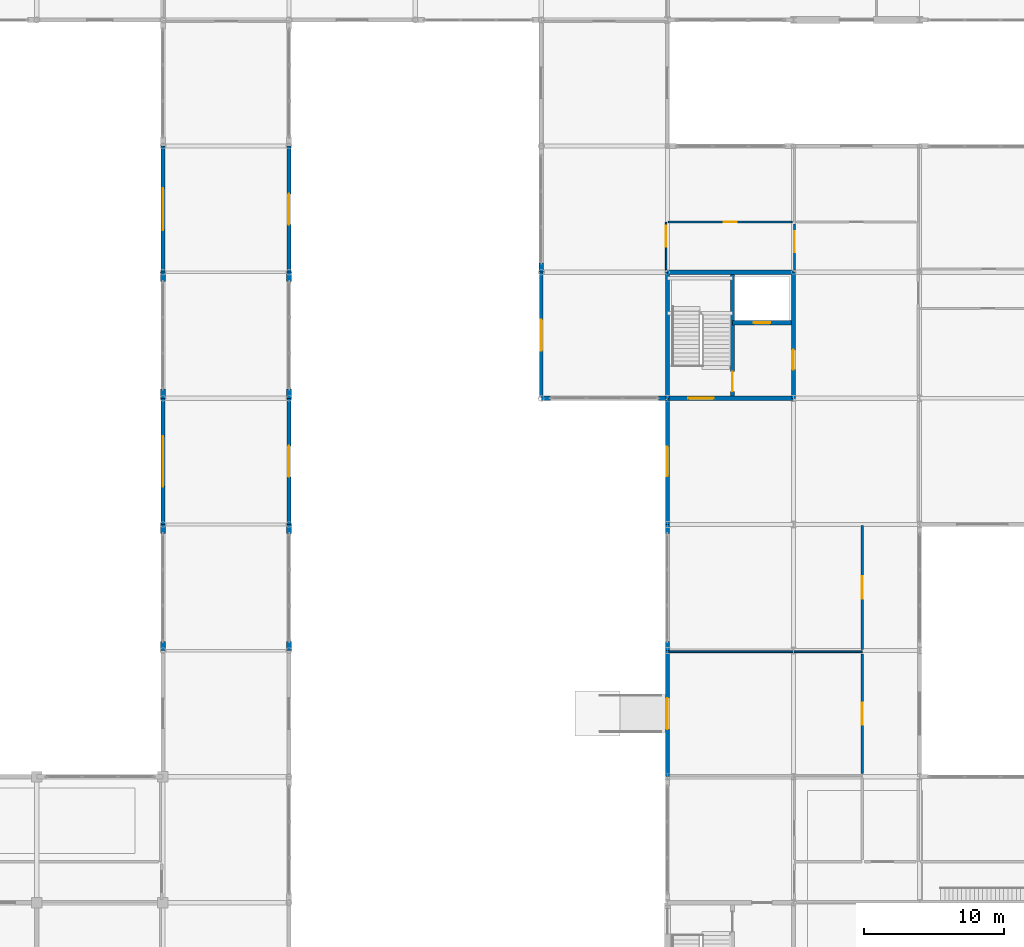
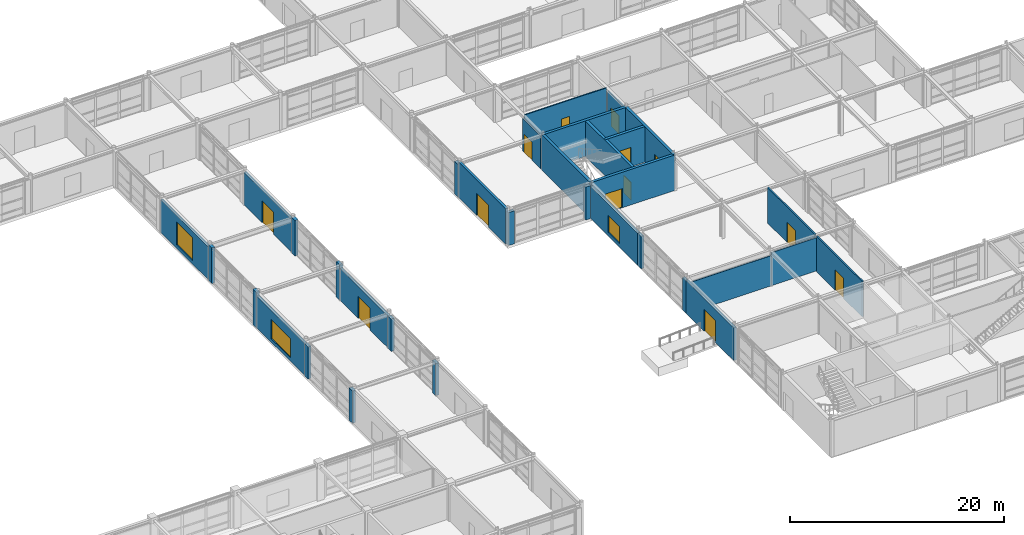
# One storey, part 59 of 72: 33 walls, 13 doors, 3 windows, 16 openings.
"""IFC4 building model written with IfcOpenShell, lengths in metres."""

from ifc_helpers import new_model, si_unit, direction, frame, frame_2d, origin, place, context, subcontext, project, spatial, rectangle, extrude, material, layer, layer_set, type_object, element, fill, save


model = new_model("IFC4")

# Units and contexts
model_context = context("Model", 3, precision=1e-05, world=origin(), true_north=direction((0.0, 1.0)))
body_context = subcontext(model_context, "Body", "Model", "MODEL_VIEW")
ifc_project = project(units=[si_unit("LENGTHUNIT", "METRE"), si_unit("AREAUNIT", "SQUARE_METRE"), si_unit("VOLUMEUNIT", "CUBIC_METRE"), si_unit("PLANEANGLEUNIT", "RADIAN"), si_unit("MASSUNIT", "GRAM", prefix="KILO")], contexts=[model_context])

# Site, building, storey
site_placement = place(None, origin())
site = spatial("IfcSite", under=ifc_project, at=site_placement, CompositionType="ELEMENT")
building_placement = place(site_placement, origin())
building = spatial("IfcBuilding", under=site, at=building_placement, Name="Palais des Congres Ocreval", CompositionType="ELEMENT")
storey_placement = place(building_placement, origin())
storey = spatial("IfcBuildingStorey", under=building, at=storey_placement, Name="L00", CompositionType="ELEMENT", Elevation=0.0)

# Wall, opening, door
ifc_material_1 = material(Name="Concrete C40/50", Category="concrete")
ifc_layer_1 = layer(ifc_material_1, 0.300048828125)
ifc_layer_set_1 = layer_set([ifc_layer_1], Name="Core Shear Wall 300 Concrete C40/50")
wall_type_1 = type_object("IfcWallType", Name="Core Shear Wall 300 Concrete C40/50", PredefinedType="SHEAR", material=ifc_layer_set_1)
wall_1_placement = place(storey_placement, frame((117.0, 45.0, 0.0), z_axis=(0.0, 0.0, 1.0), x_axis=(-1.0, 0.0, 0.0)))
wall_1 = element("IfcWall", 1, at=wall_1_placement, inside=storey, type_object=wall_type_1, Name="Core Shear Wall SC10 L00 S", PredefinedType="SHEAR", context=body_context, shape_type="SweptSolid", body=[
    extrude(rectangle(XDim=9.0, YDim=0.300048828125, at=frame_2d((4.5, 0.0))), origin(), (0.0, 0.0, 1.0), 4.054931640625),
])
opening_1_placement = place(wall_1_placement, frame((5.699951171875, 0.0, 0.0)))
opening_1 = element("IfcOpeningElement", 2, at=opening_1_placement, cuts=wall_1, Name="Opening ED04", PredefinedType="OPENING", context=body_context, shape_type="SweptSolid", body=[
    extrude(rectangle(XDim=1.800048828125, YDim=2.199951171875, at=frame_2d((0.89990234375, 1.10009765625))), frame((0.0, 0.159912109375, 0.0), z_axis=(0.0, -1.0, 0.0), x_axis=(1.0, 0.0, 0.0)), (0.0, 0.0, 1.0), 0.320068359375),
])
ifc_material_2 = material(Name="Anodized bronze aluminium and safety glass", Category="aluminium")
door_type_1 = type_object("IfcDoorType", Name="Stair Street Discharge Door 1800x2200", OperationType="NOTDEFINED", PredefinedType="DOOR", material=ifc_material_2)
door_1_placement = place(opening_1_placement, origin())
door_1 = element("IfcDoor", 3, at=door_1_placement, inside=storey, type_object=door_type_1, Name="Stair Final Exit Discharge Door ST10", OperationType="DOUBLE_DOOR_SINGLE_SWING", OverallHeight=2.199951171875, OverallWidth=1.800048828125, PredefinedType="DOOR", context=body_context, shape_type="SweptSolid", body=[
    extrude(rectangle(XDim=1.800048828125, YDim=2.199951171875, at=frame_2d((0.89990234375, 1.10009765625))), frame((0.0, 0.02490234375, 0.0), z_axis=(0.0, -1.0, 0.0), x_axis=(1.0, 0.0, 0.0)), (0.0, 0.0, 1.0), 0.050048828125),
])
fill(opening_1, door_1)

wall_2_placement = place(storey_placement, frame((117.0, 45.0, 0.0), z_axis=(0.0, 0.0, 1.0), x_axis=(0.0, 1.0, 0.0)))
wall_2 = element("IfcWall", 4, at=wall_2_placement, inside=storey, type_object=wall_type_1, Name="Core Shear Wall SC10 L00 E", PredefinedType="SHEAR", context=body_context, shape_type="SweptSolid", body=[
    extrude(rectangle(XDim=9.0, YDim=0.300048828125, at=frame_2d((4.5, 0.0))), origin(), (0.0, 0.0, 1.0), 4.054931640625),
])
opening_2_placement = place(wall_2_placement, frame((2.050048828125, 0.0, 0.0)))
opening_2 = element("IfcOpeningElement", 5, at=opening_2_placement, cuts=wall_2, Name="Opening D03", PredefinedType="OPENING", context=body_context, shape_type="SweptSolid", body=[
    extrude(rectangle(XDim=1.39990234375, YDim=2.02001953125, at=frame_2d((0.699951171875, 1.010009765625))), frame((0.0, 0.159912109375, 0.0), z_axis=(0.0, -1.0, 0.0), x_axis=(1.0, 0.0, 0.0)), (0.0, 0.0, 1.0), 0.320068359375),
])
ifc_material_3 = material(Name="Painted fire-rated steel", Category="steel")
door_type_2 = type_object("IfcDoorType", Name="Core Lobby Rated Door 1400x2020", OperationType="NOTDEFINED", PredefinedType="DOOR", material=ifc_material_3)
door_2_placement = place(opening_2_placement, origin())
door_2 = element("IfcDoor", 6, at=door_2_placement, inside=storey, type_object=door_type_2, Name="Lobby Entrance Door SC10 L00", OperationType="DOUBLE_DOOR_SINGLE_SWING", OverallHeight=2.02001953125, OverallWidth=1.39990234375, PredefinedType="DOOR", context=body_context, shape_type="SweptSolid", body=[
    extrude(rectangle(XDim=1.39990234375, YDim=2.02001953125, at=frame_2d((0.699951171875, 1.010009765625))), frame((0.0, 0.02490234375, 0.0), z_axis=(0.0, -1.0, 0.0), x_axis=(1.0, 0.0, 0.0)), (0.0, 0.0, 1.0), 0.050048828125),
])
fill(opening_2, door_2)

# Walls
for number, where, z_axis, x_axis, name in (
    (7, (108.0, 54.0, 0.0), (0.0, 0.0, 1.0), (1.0, 0.0, 0.0), "Core Shear Wall SC10 L00 N"),
    (8, (108.0, 45.0, 0.0), (0.0, 0.0, 1.0), (0.0, 1.0, 0.0), "Core Shear Wall SC10 L00 W"),
):
    element("IfcWall", number, at=place(storey_placement, frame(where, z_axis=z_axis, x_axis=x_axis)), inside=storey, type_object=wall_type_1, Name=name, PredefinedType="SHEAR", context=body_context, shape_type="SweptSolid", body=[
        extrude(rectangle(XDim=9.0, YDim=0.300048828125, at=frame_2d((4.5, 0.0))), origin(), (0.0, 0.0, 1.0), 4.054931640625),
    ])

# Wall, opening, door
wall_3_placement = place(storey_placement, frame((112.64990234375, 45.14990234375, 0.0), z_axis=(0.0, 0.0, 1.0), x_axis=(0.0, 1.0, 0.0)))
wall_3 = element("IfcWall", 9, at=wall_3_placement, inside=storey, type_object=wall_type_1, Name="Core Spine Shear Wall SC10 L00", PredefinedType="SHEAR", context=body_context, shape_type="SweptSolid", body=[
    extrude(rectangle(XDim=8.7001953125, YDim=0.300048828125, at=frame_2d((4.35009765625, 0.0))), origin(), (0.0, 0.0, 1.0), 4.054931640625),
])
opening_3_placement = place(wall_3_placement, frame((0.35009765625, 0.0, 0.0)))
opening_3 = element("IfcOpeningElement", 10, at=opening_3_placement, cuts=wall_3, Name="Opening D03", PredefinedType="OPENING", context=body_context, shape_type="SweptSolid", body=[
    extrude(rectangle(XDim=1.39990234375, YDim=2.02001953125, at=frame_2d((0.699951171875, 1.010009765625))), frame((0.0, 0.159912109375, 0.0), z_axis=(0.0, -1.0, 0.0), x_axis=(1.0, 0.0, 0.0)), (0.0, 0.0, 1.0), 0.320068359375),
])
door_3_placement = place(opening_3_placement, origin())
door_3 = element("IfcDoor", 11, at=door_3_placement, inside=storey, type_object=door_type_2, Name="Protected Exit Stair Door ST10 L00", OperationType="SINGLE_SWING_RIGHT", OverallHeight=2.02001953125, OverallWidth=1.39990234375, PredefinedType="DOOR", context=body_context, shape_type="SweptSolid", body=[
    extrude(rectangle(XDim=1.39990234375, YDim=2.02001953125, at=frame_2d((0.699951171875, 1.010009765625))), frame((0.0, 0.02490234375, 0.0), z_axis=(0.0, -1.0, 0.0), x_axis=(1.0, 0.0, 0.0)), (0.0, 0.0, 1.0), 0.050048828125),
])
fill(opening_3, door_3)

wall_4_placement = place(storey_placement, frame((112.64990234375, 50.39990234375, 0.0), z_axis=(0.0, 0.0, 1.0), x_axis=(1.0, 0.0, 0.0)))
wall_4 = element("IfcWall", 12, at=wall_4_placement, inside=storey, type_object=wall_type_1, Name="Lift Shaft Front Wall SC10 L00", PredefinedType="SHEAR", context=body_context, shape_type="SweptSolid", body=[
    extrude(rectangle(XDim=4.2001953125, YDim=0.300048828125, at=frame_2d((2.10009765625, 0.0))), origin(), (0.0, 0.0, 1.0), 4.054931640625),
])
opening_4_placement = place(wall_4_placement, frame((1.5, 0.0, 0.0)))
opening_4 = element("IfcOpeningElement", 13, at=opening_4_placement, cuts=wall_4, Name="Opening LD02", PredefinedType="OPENING", context=body_context, shape_type="SweptSolid", body=[
    extrude(rectangle(XDim=1.199951171875, YDim=2.199951171875, at=frame_2d((0.60009765625, 1.10009765625))), frame((0.0, 0.159912109375, 0.0), z_axis=(0.0, -1.0, 0.0), x_axis=(1.0, 0.0, 0.0)), (0.0, 0.0, 1.0), 0.320068359375),
])
ifc_material_4 = material(Name="Anodized bronze steel", Category="steel")
door_type_3 = type_object("IfcDoorType", Name="Passenger and Service Lift Sliding Door 1200x2200", OperationType="NOTDEFINED", PredefinedType="DOOR", material=ifc_material_4)
door_4_placement = place(opening_4_placement, origin())
door_4 = element("IfcDoor", 14, at=door_4_placement, inside=storey, type_object=door_type_3, Name="Lift Landing Sliding Door SL1 L00", OperationType="DOUBLE_DOOR_SLIDING", OverallHeight=2.199951171875, OverallWidth=1.199951171875, PredefinedType="DOOR", context=body_context, shape_type="SweptSolid", body=[
    extrude(rectangle(XDim=1.199951171875, YDim=2.199951171875, at=frame_2d((0.60009765625, 1.10009765625))), frame((0.0, 0.02490234375, 0.0), z_axis=(0.0, -1.0, 0.0), x_axis=(1.0, 0.0, 0.0)), (0.0, 0.0, 1.0), 0.050048828125),
])
fill(opening_4, door_4)

ifc_material_5 = material(Name="Gypsum acoustic partition")
ifc_layer_2 = layer(ifc_material_5, 0.159912109375)
ifc_layer_set_2 = layer_set([ifc_layer_2], Name="Corridor Fire Partition 160 Gypsum (Gypsum acoustic partition)")
wall_type_2 = type_object("IfcWallType", Name="Corridor Fire Partition 160 Gypsum", PredefinedType="PARTITIONING", material=ifc_layer_set_2)
wall_5_placement = place(storey_placement, frame((117.06494140625, 54.155029296875, 0.0), z_axis=(0.0, 0.0, 1.0), x_axis=(0.0, 1.0, 0.0)))
wall_5 = element("IfcWall", 15, at=wall_5_placement, inside=storey, type_object=wall_type_2, Name="Interior Partition IW03 L00", PredefinedType="PARTITIONING", context=body_context, shape_type="SweptSolid", body=[
    extrude(rectangle(XDim=3.280029296875, YDim=0.159912109375, at=frame_2d((1.64013671875, 0.0))), origin(), (0.0, 0.0, 1.0), 3.764892578125),
])
opening_5_placement = place(wall_5_placement, frame((1.28369140625, 0.0, 0.0)))
opening_5 = element("IfcOpeningElement", 16, at=opening_5_placement, cuts=wall_5, Name="Opening D04", PredefinedType="OPENING", context=body_context, shape_type="SweptSolid", body=[
    extrude(rectangle(XDim=1.5, YDim=2.10009765625, at=frame_2d((0.75, 1.050048828125))), frame((0.0, 0.08984375, 0.0), z_axis=(0.0, -1.0, 0.0), x_axis=(1.0, 0.0, 0.0)), (0.0, 0.0, 1.0), 0.179931640625),
])
ifc_material_6 = material(Name="Solid French oak fire door", Category="wood")
door_type_4 = type_object("IfcDoorType", Name="Corridor Compartment Double Door 1500x2100", OperationType="NOTDEFINED", PredefinedType="DOOR", material=ifc_material_6)
door_5_placement = place(opening_5_placement, origin())
door_5 = element("IfcDoor", 17, at=door_5_placement, inside=storey, type_object=door_type_4, Name="Interior Door D04 L00", OperationType="DOUBLE_DOOR_SINGLE_SWING", OverallHeight=2.10009765625, OverallWidth=1.5, PredefinedType="DOOR", context=body_context, shape_type="SweptSolid", body=[
    extrude(rectangle(XDim=1.5, YDim=2.10009765625, at=frame_2d((0.75, 1.050048828125))), frame((0.0, 0.02490234375, 0.0), z_axis=(0.0, -1.0, 0.0), x_axis=(1.0, 0.0, 0.0)), (0.0, 0.0, 1.0), 0.050048828125),
])
fill(opening_5, door_5)

wall_6_placement = place(storey_placement, frame((121.909912109375, 18.219970703125, 0.0), z_axis=(0.0, 0.0, 1.0), x_axis=(0.0, 1.0, 0.0)))
wall_6 = element("IfcWall", 18, at=wall_6_placement, inside=storey, type_object=wall_type_2, Name="Interior Partition IW03 L00", PredefinedType="PARTITIONING", context=body_context, shape_type="SweptSolid", body=[
    extrude(rectangle(XDim=8.534912109375, YDim=0.159912109375, at=frame_2d((4.267578125, 0.0))), origin(), (0.0, 0.0, 1.0), 4.054931640625),
])
opening_6_placement = place(wall_6_placement, frame((3.467529296875, 0.0, 0.0)))
opening_6 = element("IfcOpeningElement", 19, at=opening_6_placement, cuts=wall_6, Name="Opening D12", PredefinedType="OPENING", context=body_context, shape_type="SweptSolid", body=[
    extrude(rectangle(XDim=1.60009765625, YDim=2.300048828125, at=frame_2d((0.800048828125, 1.14990234375))), frame((0.0, 0.08984375, 0.0), z_axis=(0.0, -1.0, 0.0), x_axis=(1.0, 0.0, 0.0)), (0.0, 0.0, 1.0), 0.179931640625),
])
ifc_material_7 = material(Name="Solid French oak", Category="wood")
door_type_5 = type_object("IfcDoorType", Name="Meeting Room Acoustic Double Door 1600x2300", OperationType="NOTDEFINED", PredefinedType="DOOR", material=ifc_material_7)
door_6_placement = place(opening_6_placement, origin())
door_6 = element("IfcDoor", 20, at=door_6_placement, inside=storey, type_object=door_type_5, Name="Interior Door D12 L00", OperationType="DOUBLE_DOOR_SINGLE_SWING", OverallHeight=2.300048828125, OverallWidth=1.60009765625, PredefinedType="DOOR", context=body_context, shape_type="SweptSolid", body=[
    extrude(rectangle(XDim=1.60009765625, YDim=2.300048828125, at=frame_2d((0.800048828125, 1.14990234375))), frame((0.0, 0.02490234375, 0.0), z_axis=(0.0, -1.0, 0.0), x_axis=(1.0, 0.0, 0.0)), (0.0, 0.0, 1.0), 0.050048828125),
])
fill(opening_6, door_6)

wall_7_placement = place(storey_placement, frame((121.909912109375, 27.06494140625, 0.0), z_axis=(0.0, 0.0, 1.0), x_axis=(0.0, 1.0, 0.0)))
wall_7 = element("IfcWall", 21, at=wall_7_placement, inside=storey, type_object=wall_type_2, Name="Interior Partition IW03 L00", PredefinedType="PARTITIONING", context=body_context, shape_type="SweptSolid", body=[
    extrude(rectangle(XDim=8.864990234375, YDim=0.159912109375, at=frame_2d((4.4326171875, 0.0))), origin(), (0.0, 0.0, 1.0), 4.054931640625),
])
opening_7_placement = place(wall_7_placement, frame((3.632568359375, 0.0, 0.0)))
opening_7 = element("IfcOpeningElement", 22, at=opening_7_placement, cuts=wall_7, Name="Opening D12", PredefinedType="OPENING", context=body_context, shape_type="SweptSolid", body=[
    extrude(rectangle(XDim=1.60009765625, YDim=2.300048828125, at=frame_2d((0.800048828125, 1.14990234375))), frame((0.0, 0.08984375, 0.0), z_axis=(0.0, -1.0, 0.0), x_axis=(1.0, 0.0, 0.0)), (0.0, 0.0, 1.0), 0.179931640625),
])
door_7_placement = place(opening_7_placement, origin())
door_7 = element("IfcDoor", 23, at=door_7_placement, inside=storey, type_object=door_type_5, Name="Interior Door D12 L00", OperationType="DOUBLE_DOOR_SINGLE_SWING", OverallHeight=2.300048828125, OverallWidth=1.60009765625, PredefinedType="DOOR", context=body_context, shape_type="SweptSolid", body=[
    extrude(rectangle(XDim=1.60009765625, YDim=2.300048828125, at=frame_2d((0.800048828125, 1.14990234375))), frame((0.0, 0.02490234375, 0.0), z_axis=(0.0, -1.0, 0.0), x_axis=(1.0, 0.0, 0.0)), (0.0, 0.0, 1.0), 0.050048828125),
])
fill(opening_7, door_7)

# Walls
ifc_layer_3 = layer(ifc_material_1, 0.340087890625)
ifc_layer_set_3 = layer_set([ifc_layer_3], Name="Ochre Mineral-Lime Courtyard Wall 340 Concrete C40/50")
wall_type_3 = type_object("IfcWallType", Name="Ochre Mineral-Lime Courtyard Wall 340 Concrete C40/50", PredefinedType="SOLIDWALL", material=ifc_layer_set_3)
wall_8_placement = place(storey_placement, frame((107.8701171875, 45.0, 0.0), z_axis=(0.0, 0.0, 1.0), x_axis=(-1.0, 0.0, 0.0)))
element("IfcWall", 24, at=wall_8_placement, inside=storey, type_object=wall_type_3, Name="Facade Pier EW04 L00", PredefinedType="SOLIDWALL", context=body_context, shape_type="SweptSolid", body=[
    extrude(rectangle(XDim=0.52001953125, YDim=0.340087890625, at=frame_2d((0.260009765625, 0.0))), origin(), (0.0, 0.0, 1.0), 3.7548828125),
])
for number, where, z_axis, x_axis, name in (
    (25, (99.64990234375, 45.0, 0.0), (0.0, 0.0, 1.0), (-1.0, 0.0, 0.0), "Facade Pier EW04 L00"),
    (26, (99.0, 54.0, 0.0), (0.0, 0.0, 1.0), (0.0, 1.0, 0.0), "Facade Pier EW04 L00"),
):
    element("IfcWall", number, at=place(storey_placement, frame(where, z_axis=z_axis, x_axis=x_axis)), inside=storey, type_object=wall_type_3, Name=name, PredefinedType="SOLIDWALL", context=body_context, shape_type="SweptSolid", body=[
        extrude(rectangle(XDim=0.64990234375, YDim=0.340087890625, at=frame_2d((0.324951171875, 0.0))), origin(), (0.0, 0.0, 1.0), 3.7548828125),
    ])
for number, where, z_axis, x_axis, name in (
    (27, (81.0, 54.0, 0.0), (0.0, 0.0, 1.0), (0.0, -1.0, 0.0), "Facade Pier EW04 L00"),
    (28, (81.0, 45.64990234375, 0.0), (0.0, 0.0, 1.0), (0.0, -1.0, 0.0), "Facade Pier EW04 L00"),
):
    element("IfcWall", number, at=place(storey_placement, frame(where, z_axis=z_axis, x_axis=x_axis)), inside=storey, type_object=wall_type_3, Name=name, PredefinedType="SOLIDWALL", context=body_context, shape_type="SweptSolid", body=[
        extrude(rectangle(XDim=0.64990234375, YDim=0.340087890625, at=frame_2d((0.324951171875, 0.0))), origin(), (0.0, 0.0, 1.0), 4.054931640625),
    ])
for number, where, z_axis, x_axis, name in (
    (29, (81.0, 36.0, 0.0), (0.0, 0.0, 1.0), (0.0, -1.0, 0.0), "Facade Pier EW04 L00"),
    (30, (81.0, 27.64990234375, 0.0), (0.0, 0.0, 1.0), (0.0, -1.0, 0.0), "Facade Pier EW04 L00"),
    (31, (72.0, 27.0, 0.0), (0.0, 0.0, 1.0), (0.0, 1.0, 0.0), "Facade Pier EW04 L00"),
    (32, (72.0, 35.35009765625, 0.0), (0.0, 0.0, 1.0), (0.0, 1.0, 0.0), "Facade Pier EW04 L00"),
):
    element("IfcWall", number, at=place(storey_placement, frame(where, z_axis=z_axis, x_axis=x_axis)), inside=storey, type_object=wall_type_3, Name=name, PredefinedType="SOLIDWALL", context=body_context, shape_type="SweptSolid", body=[
        extrude(rectangle(XDim=0.64990234375, YDim=0.340087890625, at=frame_2d((0.324951171875, 0.0))), origin(), (0.0, 0.0, 1.0), 3.695068359375),
    ])
for number, where, z_axis, x_axis, name in (
    (33, (72.0, 45.0, 0.0), (0.0, 0.0, 1.0), (0.0, 1.0, 0.0), "Facade Pier EW04 L00"),
    (34, (72.0, 53.35009765625, 0.0), (0.0, 0.0, 1.0), (0.0, 1.0, 0.0), "Facade Pier EW04 L00"),
):
    element("IfcWall", number, at=place(storey_placement, frame(where, z_axis=z_axis, x_axis=x_axis)), inside=storey, type_object=wall_type_3, Name=name, PredefinedType="SOLIDWALL", context=body_context, shape_type="SweptSolid", body=[
        extrude(rectangle(XDim=0.64990234375, YDim=0.340087890625, at=frame_2d((0.324951171875, 0.0))), origin(), (0.0, 0.0, 1.0), 4.054931640625),
    ])

# Wall, opening, door
ifc_layer_4 = layer(ifc_material_1, 0.260009765625)
ifc_layer_set_4 = layer_set([ifc_layer_4], Name="Sawtooth Clerestory Wall 260 Concrete C40/50")
wall_type_4 = type_object("IfcWallType", Name="Sawtooth Clerestory Wall 260 Concrete C40/50", PredefinedType="SOLIDWALL", material=ifc_layer_set_4)
wall_9_placement = place(storey_placement, frame((99.0, 45.155029296875, 0.0), z_axis=(0.0, 0.0, 1.0), x_axis=(0.0, 1.0, 0.0)))
wall_9 = element("IfcWall", 35, at=wall_9_placement, inside=storey, type_object=wall_type_4, Name="Exterior Wall EW06 L00", PredefinedType="SOLIDWALL", context=body_context, shape_type="SweptSolid", body=[
    extrude(rectangle(XDim=8.844970703125, YDim=0.260009765625, at=frame_2d((4.42236328125, 0.0))), origin(), (0.0, 0.0, 1.0), 4.054931640625),
])
opening_8_placement = place(wall_9_placement, frame((3.2451171875, 0.0, 0.0)))
opening_8 = element("IfcOpeningElement", 36, at=opening_8_placement, cuts=wall_9, Name="Opening ED02", PredefinedType="OPENING", context=body_context, shape_type="SweptSolid", body=[
    extrude(rectangle(XDim=2.199951171875, YDim=2.5, at=frame_2d((1.10009765625, 1.25))), frame((0.0, 0.139892578125, 0.0), z_axis=(0.0, -1.0, 0.0), x_axis=(1.0, 0.0, 0.0)), (0.0, 0.0, 1.0), 0.280029296875),
])
door_type_6 = type_object("IfcDoorType", Name="Congress Grand Final Exit Door 2200x2500", OperationType="NOTDEFINED", PredefinedType="DOOR", material=ifc_material_2)
door_8_placement = place(opening_8_placement, origin())
door_8 = element("IfcDoor", 37, at=door_8_placement, inside=storey, type_object=door_type_6, Name="Pedestrian Final Exit Door E34", OperationType="DOUBLE_DOOR_SINGLE_SWING", OverallHeight=2.5, OverallWidth=2.199951171875, PredefinedType="DOOR", context=body_context, shape_type="SweptSolid", body=[
    extrude(rectangle(XDim=2.199951171875, YDim=2.5, at=frame_2d((1.10009765625, 1.25))), frame((0.0, 0.02490234375, 0.0), z_axis=(0.0, -1.0, 0.0), x_axis=(1.0, 0.0, 0.0)), (0.0, 0.0, 1.0), 0.050048828125),
])
fill(opening_8, door_8)

wall_10_placement = place(storey_placement, frame((81.0, 63.0, 0.0), z_axis=(0.0, 0.0, 1.0), x_axis=(0.0, -1.0, 0.0)))
wall_10 = element("IfcWall", 38, at=wall_10_placement, inside=storey, type_object=wall_type_4, Name="Exterior Wall EW06 L00", PredefinedType="SOLIDWALL", context=body_context, shape_type="SweptSolid", body=[
    extrude(rectangle(XDim=9.0, YDim=0.260009765625, at=frame_2d((4.5, 0.0))), origin(), (0.0, 0.0, 1.0), 3.7548828125),
])
opening_9_placement = place(wall_10_placement, frame((3.39990234375, 0.0, 0.0)))
opening_9 = element("IfcOpeningElement", 39, at=opening_9_placement, cuts=wall_10, Name="Opening ED02", PredefinedType="OPENING", context=body_context, shape_type="SweptSolid", body=[
    extrude(rectangle(XDim=2.199951171875, YDim=2.5, at=frame_2d((1.10009765625, 1.25))), frame((0.0, 0.139892578125, 0.0), z_axis=(0.0, -1.0, 0.0), x_axis=(1.0, 0.0, 0.0)), (0.0, 0.0, 1.0), 0.280029296875),
])
door_9_placement = place(opening_9_placement, origin())
door_9 = element("IfcDoor", 40, at=door_9_placement, inside=storey, type_object=door_type_6, Name="Pedestrian Final Exit Door E37", OperationType="DOUBLE_DOOR_SINGLE_SWING", OverallHeight=2.5, OverallWidth=2.199951171875, PredefinedType="DOOR", context=body_context, shape_type="SweptSolid", body=[
    extrude(rectangle(XDim=2.199951171875, YDim=2.5, at=frame_2d((1.10009765625, 1.25))), frame((0.0, 0.02490234375, 0.0), z_axis=(0.0, -1.0, 0.0), x_axis=(1.0, 0.0, 0.0)), (0.0, 0.0, 1.0), 0.050048828125),
])
fill(opening_9, door_9)

wall_11_placement = place(storey_placement, frame((81.0, 45.0, 0.0), z_axis=(0.0, 0.0, 1.0), x_axis=(0.0, -1.0, 0.0)))
wall_11 = element("IfcWall", 41, at=wall_11_placement, inside=storey, type_object=wall_type_4, Name="Exterior Wall EW06 L00", PredefinedType="SOLIDWALL", context=body_context, shape_type="SweptSolid", body=[
    extrude(rectangle(XDim=9.0, YDim=0.260009765625, at=frame_2d((4.5, 0.0))), origin(), (0.0, 0.0, 1.0), 3.655029296875),
])
opening_10_placement = place(wall_11_placement, frame((3.39990234375, 0.0, 0.0)))
opening_10 = element("IfcOpeningElement", 42, at=opening_10_placement, cuts=wall_11, Name="Opening ED02", PredefinedType="OPENING", context=body_context, shape_type="SweptSolid", body=[
    extrude(rectangle(XDim=2.199951171875, YDim=2.5, at=frame_2d((1.10009765625, 1.25))), frame((0.0, 0.139892578125, 0.0), z_axis=(0.0, -1.0, 0.0), x_axis=(1.0, 0.0, 0.0)), (0.0, 0.0, 1.0), 0.280029296875),
])
door_10_placement = place(opening_10_placement, origin())
door_10 = element("IfcDoor", 43, at=door_10_placement, inside=storey, type_object=door_type_6, Name="Pedestrian Final Exit Door E38", OperationType="DOUBLE_DOOR_SINGLE_SWING", OverallHeight=2.5, OverallWidth=2.199951171875, PredefinedType="DOOR", context=body_context, shape_type="SweptSolid", body=[
    extrude(rectangle(XDim=2.199951171875, YDim=2.5, at=frame_2d((1.10009765625, 1.25))), frame((0.0, 0.02490234375, 0.0), z_axis=(0.0, -1.0, 0.0), x_axis=(1.0, 0.0, 0.0)), (0.0, 0.0, 1.0), 0.050048828125),
])
fill(opening_10, door_10)

# Wall, opening, window
wall_12_placement = place(storey_placement, frame((72.0, 36.0, 0.0), z_axis=(0.0, 0.0, 1.0), x_axis=(0.0, 1.0, 0.0)))
wall_12 = element("IfcWall", 44, at=wall_12_placement, inside=storey, type_object=wall_type_4, Name="Exterior Wall EW06 L00", PredefinedType="SOLIDWALL", context=body_context, shape_type="SweptSolid", body=[
    extrude(rectangle(XDim=9.0, YDim=0.260009765625, at=frame_2d((4.5, 0.0))), origin(), (0.0, 0.0, 1.0), 3.655029296875),
])
opening_11_placement = place(wall_12_placement, frame((2.699951171875, 0.0, 0.39990234375)))
opening_11 = element("IfcOpeningElement", 45, at=opening_11_placement, cuts=wall_12, Name="Opening WN08", PredefinedType="OPENING", context=body_context, shape_type="SweptSolid", body=[
    extrude(rectangle(XDim=3.60009765625, YDim=2.199951171875, at=frame_2d((1.800048828125, 1.10009765625))), frame((0.0, 0.139892578125, 0.0), z_axis=(0.0, -1.0, 0.0), x_axis=(1.0, 0.0, 0.0)), (0.0, 0.0, 1.0), 0.280029296875),
])
ifc_material_8 = material(Name="Anodized bronze aluminium and low-E glass", Category="glass")
window_type_1 = type_object("IfcWindowType", Name="Crown Salon Window 3600x2200", PartitioningType="SINGLE_PANEL", PredefinedType="WINDOW", material=ifc_material_8)
window_1_placement = place(opening_11_placement, origin())
window_1 = element("IfcWindow", 46, at=window_1_placement, inside=storey, type_object=window_type_1, Name="Facade Window WN08", OverallHeight=2.199951171875, OverallWidth=3.60009765625, PartitioningType="SINGLE_PANEL", PredefinedType="WINDOW", context=body_context, shape_type="SweptSolid", body=[
    extrude(rectangle(XDim=3.60009765625, YDim=2.199951171875, at=frame_2d((1.800048828125, 1.10009765625))), frame((0.0, 0.030029296875, 0.0), z_axis=(0.0, -1.0, 0.0), x_axis=(1.0, 0.0, 0.0)), (0.0, 0.0, 1.0), 0.06005859375),
])
fill(opening_11, window_1)

wall_13_placement = place(storey_placement, frame((72.0, 54.0, 0.0), z_axis=(0.0, 0.0, 1.0), x_axis=(0.0, 1.0, 0.0)))
wall_13 = element("IfcWall", 47, at=wall_13_placement, inside=storey, type_object=wall_type_4, Name="Exterior Wall EW06 L00", PredefinedType="SOLIDWALL", context=body_context, shape_type="SweptSolid", body=[
    extrude(rectangle(XDim=9.0, YDim=0.260009765625, at=frame_2d((4.5, 0.0))), origin(), (0.0, 0.0, 1.0), 3.7548828125),
])
opening_12_placement = place(wall_13_placement, frame((3.0, 0.0, 0.39990234375)))
opening_12 = element("IfcOpeningElement", 48, at=opening_12_placement, cuts=wall_13, Name="Opening WN10", PredefinedType="OPENING", context=body_context, shape_type="SweptSolid", body=[
    extrude(rectangle(XDim=3.0, YDim=2.60009765625, at=frame_2d((1.5, 1.300048828125))), frame((0.0, 0.139892578125, 0.0), z_axis=(0.0, -1.0, 0.0), x_axis=(1.0, 0.0, 0.0)), (0.0, 0.0, 1.0), 0.280029296875),
])
window_type_2 = type_object("IfcWindowType", Name="Lobby Arcade Window 3000x2600", PartitioningType="SINGLE_PANEL", PredefinedType="WINDOW", material=ifc_material_8)
window_2_placement = place(opening_12_placement, origin())
window_2 = element("IfcWindow", 49, at=window_2_placement, inside=storey, type_object=window_type_2, Name="Facade Window WN10", OverallHeight=2.60009765625, OverallWidth=3.0, PartitioningType="SINGLE_PANEL", PredefinedType="WINDOW", context=body_context, shape_type="SweptSolid", body=[
    extrude(rectangle(XDim=3.0, YDim=2.60009765625, at=frame_2d((1.5, 1.300048828125))), frame((0.0, 0.030029296875, 0.0), z_axis=(0.0, -1.0, 0.0), x_axis=(1.0, 0.0, 0.0)), (0.0, 0.0, 1.0), 0.06005859375),
])
fill(opening_12, window_2)

# Wall
ifc_material_9 = material(Name="Gypsum board partition")
ifc_layer_5 = layer(ifc_material_9, 0.1201171875)
ifc_layer_set_5 = layer_set([ifc_layer_5], Name="Suite Subdivision Partition 120 Gypsum (Gypsum board partition)")
wall_type_5 = type_object("IfcWallType", Name="Suite Subdivision Partition 120 Gypsum", PredefinedType="PARTITIONING", material=ifc_layer_set_5)
wall_14_placement = place(storey_placement, frame((108.14501953125, 26.909912109375, 0.0), z_axis=(0.0, 0.0, 1.0), x_axis=(1.0, 0.0, 0.0)))
element("IfcWall", 50, at=wall_14_placement, inside=storey, type_object=wall_type_5, Name="Interior Partition IW04 L00", PredefinedType="PARTITIONING", context=body_context, shape_type="SweptSolid", body=[
    extrude(rectangle(XDim=8.875, YDim=0.1201171875, at=frame_2d((4.4375, 0.0))), origin(), (0.0, 0.0, 1.0), 3.455078125),
])

# Wall, opening, door
wall_15_placement = place(storey_placement, frame((107.909912109375, 54.155029296875, 0.0), z_axis=(0.0, 0.0, 1.0), x_axis=(0.0, 1.0, 0.0)))
wall_15 = element("IfcWall", 51, at=wall_15_placement, inside=storey, type_object=wall_type_5, Name="Interior Partition IW04 L00", PredefinedType="PARTITIONING", context=body_context, shape_type="SweptSolid", body=[
    extrude(rectangle(XDim=3.425048828125, YDim=0.1201171875, at=frame_2d((1.71240234375, 0.0))), origin(), (0.0, 0.0, 1.0), 3.7548828125),
])
opening_13_placement = place(wall_15_placement, frame((1.64990234375, 0.0, 0.0)))
opening_13 = element("IfcOpeningElement", 52, at=opening_13_placement, cuts=wall_15, Name="Opening D04", PredefinedType="OPENING", context=body_context, shape_type="SweptSolid", body=[
    extrude(rectangle(XDim=1.5, YDim=2.10009765625, at=frame_2d((0.75, 1.050048828125))), frame((0.0, 0.070068359375, 0.0), z_axis=(0.0, -1.0, 0.0), x_axis=(1.0, 0.0, 0.0)), (0.0, 0.0, 1.0), 0.14013671875),
])
door_11_placement = place(opening_13_placement, origin())
door_11 = element("IfcDoor", 53, at=door_11_placement, inside=storey, type_object=door_type_4, Name="Interior Door D04 L00", OperationType="DOUBLE_DOOR_SINGLE_SWING", OverallHeight=2.10009765625, OverallWidth=1.5, PredefinedType="DOOR", context=body_context, shape_type="SweptSolid", body=[
    extrude(rectangle(XDim=1.5, YDim=2.10009765625, at=frame_2d((0.75, 1.050048828125))), frame((0.0, 0.02490234375, 0.0), z_axis=(0.0, -1.0, 0.0), x_axis=(1.0, 0.0, 0.0)), (0.0, 0.0, 1.0), 0.050048828125),
])
fill(opening_13, door_11)

wall_16_placement = place(storey_placement, frame((108.06494140625, 57.590087890625, 0.0), z_axis=(0.0, 0.0, 1.0), x_axis=(1.0, 0.0, 0.0)))
wall_16 = element("IfcWall", 54, at=wall_16_placement, inside=storey, type_object=wall_type_5, Name="Interior Partition IW04 L00", PredefinedType="PARTITIONING", context=body_context, shape_type="SweptSolid", body=[
    extrude(rectangle(XDim=8.844970703125, YDim=0.1201171875, at=frame_2d((4.42236328125, 0.0))), origin(), (0.0, 0.0, 1.0), 4.054931640625),
])
opening_14_placement = place(wall_16_placement, frame((3.972412109375, 0.0, 0.0)))
opening_14 = element("IfcOpeningElement", 55, at=opening_14_placement, cuts=wall_16, Name="Opening D11", PredefinedType="OPENING", context=body_context, shape_type="SweptSolid", body=[
    extrude(rectangle(XDim=0.89990234375, YDim=2.199951171875, at=frame_2d((0.449951171875, 1.10009765625))), frame((0.0, 0.070068359375, 0.0), z_axis=(0.0, -1.0, 0.0), x_axis=(1.0, 0.0, 0.0)), (0.0, 0.0, 1.0), 0.14013671875),
])
door_type_7 = type_object("IfcDoorType", Name="Spa Treatment Cabin Door 900x2200", OperationType="NOTDEFINED", PredefinedType="DOOR", material=ifc_material_7)
door_12_placement = place(opening_14_placement, origin())
door_12 = element("IfcDoor", 56, at=door_12_placement, inside=storey, type_object=door_type_7, Name="Interior Door D11 L00", OperationType="SINGLE_SWING_RIGHT", OverallHeight=2.199951171875, OverallWidth=0.89990234375, PredefinedType="DOOR", context=body_context, shape_type="SweptSolid", body=[
    extrude(rectangle(XDim=0.89990234375, YDim=2.199951171875, at=frame_2d((0.449951171875, 1.10009765625))), frame((0.0, 0.02490234375, 0.0), z_axis=(0.0, -1.0, 0.0), x_axis=(1.0, 0.0, 0.0)), (0.0, 0.0, 1.0), 0.050048828125),
])
fill(opening_14, door_12)

# Wall
wall_17_placement = place(storey_placement, frame((117.02001953125, 26.909912109375, 0.0), z_axis=(0.0, 0.0, 1.0), x_axis=(1.0, 0.0, 0.0)))
element("IfcWall", 57, at=wall_17_placement, inside=storey, type_object=wall_type_5, Name="Interior Partition IW04 L00", PredefinedType="PARTITIONING", context=body_context, shape_type="SweptSolid", body=[
    extrude(rectangle(XDim=4.8798828125, YDim=0.1201171875, at=frame_2d((2.43994140625, 0.0))), origin(), (0.0, 0.0, 1.0), 3.784912109375),
])

# Wall, opening, door
ifc_layer_6 = layer(ifc_material_1, 0.280029296875)
ifc_layer_set_6 = layer_set([ifc_layer_6], Name="Terracotta Mineral-Lime Facade Wall 280 Concrete C40/50")
wall_type_6 = type_object("IfcWallType", Name="Terracotta Mineral-Lime Facade Wall 280 Concrete C40/50", PredefinedType="SOLIDWALL", material=ifc_layer_set_6)
wall_18_placement = place(storey_placement, frame((108.0, 18.0, 0.0), z_axis=(0.0, 0.0, 1.0), x_axis=(0.0, 1.0, 0.0)))
wall_18 = element("IfcWall", 58, at=wall_18_placement, inside=storey, type_object=wall_type_6, Name="Exterior Wall EW05 L00", PredefinedType="SOLIDWALL", context=body_context, shape_type="SweptSolid", body=[
    extrude(rectangle(XDim=9.0, YDim=0.280029296875, at=frame_2d((4.5, 0.0))), origin(), (0.0, 0.0, 1.0), 3.7548828125),
])
opening_15_placement = place(wall_18_placement, frame((3.39990234375, 0.0, 0.0)))
opening_15 = element("IfcOpeningElement", 59, at=opening_15_placement, cuts=wall_18, Name="Opening ED02", PredefinedType="OPENING", context=body_context, shape_type="SweptSolid", body=[
    extrude(rectangle(XDim=2.199951171875, YDim=2.5, at=frame_2d((1.10009765625, 1.25))), frame((0.0, 0.14990234375, 0.0), z_axis=(0.0, -1.0, 0.0), x_axis=(1.0, 0.0, 0.0)), (0.0, 0.0, 1.0), 0.300048828125),
])
door_13_placement = place(opening_15_placement, origin())
door_13 = element("IfcDoor", 60, at=door_13_placement, inside=storey, type_object=door_type_6, Name="Pedestrian Final Exit Door E33", OperationType="DOUBLE_DOOR_SINGLE_SWING", OverallHeight=2.5, OverallWidth=2.199951171875, PredefinedType="DOOR", context=body_context, shape_type="SweptSolid", body=[
    extrude(rectangle(XDim=2.199951171875, YDim=2.5, at=frame_2d((1.10009765625, 1.25))), frame((0.0, 0.02490234375, 0.0), z_axis=(0.0, -1.0, 0.0), x_axis=(1.0, 0.0, 0.0)), (0.0, 0.0, 1.0), 0.050048828125),
])
fill(opening_15, door_13)

# Walls
for number, where, z_axis, x_axis, name in (
    (61, (108.0, 27.0, 0.0), (0.0, 0.0, 1.0), (0.0, 1.0, 0.0), "Facade Pier EW05 L00"),
    (62, (108.0, 35.35009765625, 0.0), (0.0, 0.0, 1.0), (0.0, 1.0, 0.0), "Facade Pier EW05 L00"),
):
    element("IfcWall", number, at=place(storey_placement, frame(where, z_axis=z_axis, x_axis=x_axis)), inside=storey, type_object=wall_type_6, Name=name, PredefinedType="SOLIDWALL", context=body_context, shape_type="SweptSolid", body=[
        extrude(rectangle(XDim=0.64990234375, YDim=0.280029296875, at=frame_2d((0.324951171875, 0.0))), origin(), (0.0, 0.0, 1.0), 3.695068359375),
    ])

# Wall, opening, window
wall_19_placement = place(storey_placement, frame((108.0, 36.0, 0.0), z_axis=(0.0, 0.0, 1.0), x_axis=(0.0, 1.0, 0.0)))
wall_19 = element("IfcWall", 63, at=wall_19_placement, inside=storey, type_object=wall_type_6, Name="Exterior Wall EW05 L00", PredefinedType="SOLIDWALL", context=body_context, shape_type="SweptSolid", body=[
    extrude(rectangle(XDim=8.8701171875, YDim=0.280029296875, at=frame_2d((4.43505859375, 0.0))), origin(), (0.0, 0.0, 1.0), 3.655029296875),
])
opening_16_placement = place(wall_19_placement, frame((3.449951171875, 0.0, 0.39990234375)))
opening_16 = element("IfcOpeningElement", 64, at=opening_16_placement, cuts=wall_19, Name="Opening WN05", PredefinedType="OPENING", context=body_context, shape_type="SweptSolid", body=[
    extrude(rectangle(XDim=2.10009765625, YDim=1.949951171875, at=frame_2d((1.050048828125, 0.97509765625))), frame((0.0, 0.14990234375, 0.0), z_axis=(0.0, -1.0, 0.0), x_axis=(1.0, 0.0, 0.0)), (0.0, 0.0, 1.0), 0.300048828125),
])
window_type_3 = type_object("IfcWindowType", Name="Junior Suite Window 2100x1950", PartitioningType="SINGLE_PANEL", PredefinedType="WINDOW", material=ifc_material_8)
window_3_placement = place(opening_16_placement, origin())
window_3 = element("IfcWindow", 65, at=window_3_placement, inside=storey, type_object=window_type_3, Name="Facade Window WN05", OverallHeight=1.949951171875, OverallWidth=2.10009765625, PartitioningType="SINGLE_PANEL", PredefinedType="WINDOW", context=body_context, shape_type="SweptSolid", body=[
    extrude(rectangle(XDim=2.10009765625, YDim=1.949951171875, at=frame_2d((1.050048828125, 0.97509765625))), frame((0.0, 0.030029296875, 0.0), z_axis=(0.0, -1.0, 0.0), x_axis=(1.0, 0.0, 0.0)), (0.0, 0.0, 1.0), 0.06005859375),
])
fill(opening_16, window_3)

save(model, "model.ifc")
